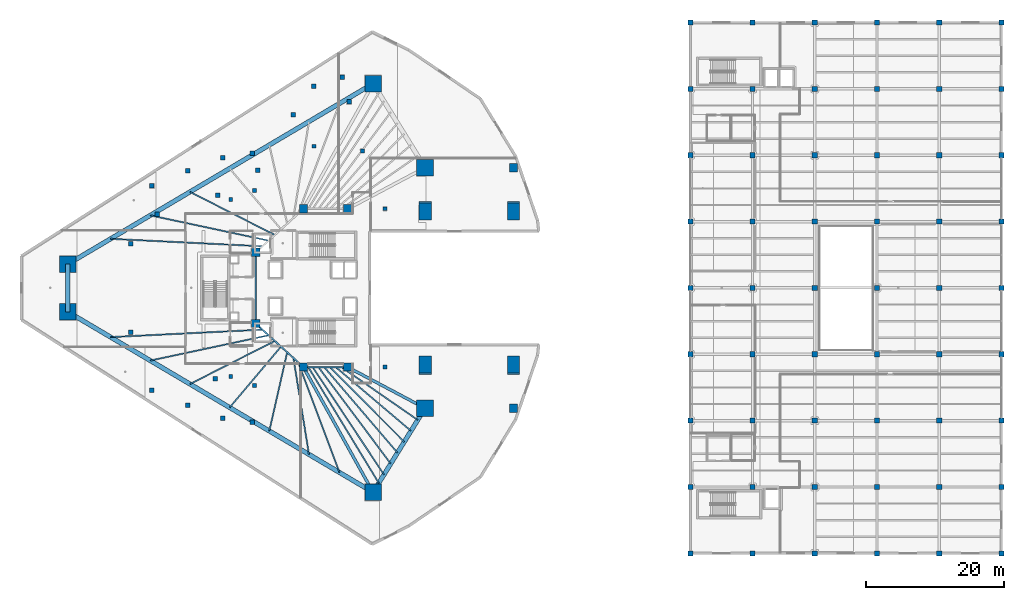
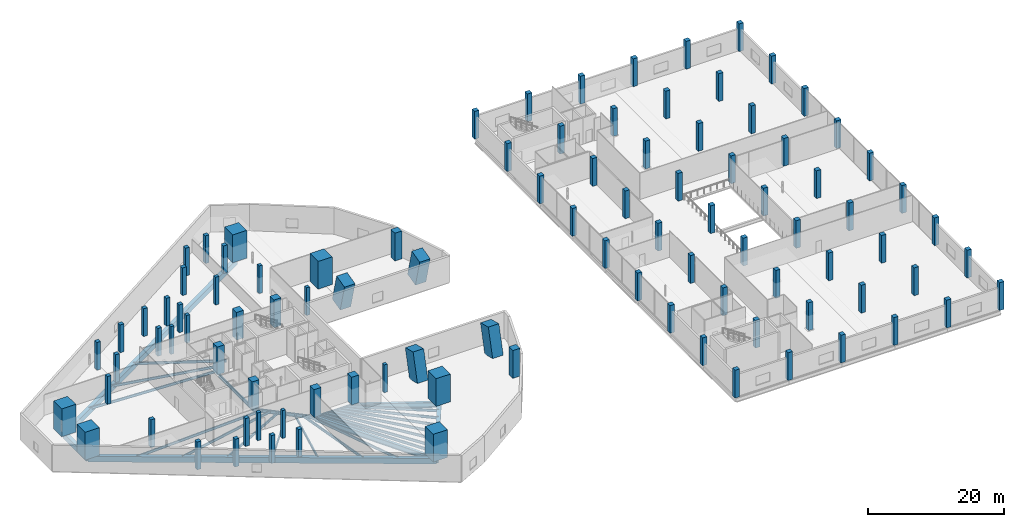
# One storey, part 1 of 47: 98 columns, 26 beams.
"""IFC4 building model written with IfcOpenShell, lengths in metres."""

from ifc_helpers import new_model, si_unit, direction, frame, origin, origin_2d, place, context, subcontext, project, spatial, rectangle, i_section, extrude, material, material_profile, profile_set, type_object, element, save


model = new_model("IFC4")

# Units and contexts
model_context = context("Model", 3, precision=1e-05, world=origin(), true_north=direction((0.0, 1.0)))
body_context = subcontext(model_context, "Body", "Model", "MODEL_VIEW")
ifc_project = project(units=[si_unit("LENGTHUNIT", "METRE"), si_unit("AREAUNIT", "SQUARE_METRE"), si_unit("VOLUMEUNIT", "CUBIC_METRE"), si_unit("PLANEANGLEUNIT", "RADIAN"), si_unit("MASSUNIT", "GRAM", prefix="KILO")], contexts=[model_context])

# Site, building, storey
site_placement = place(None, origin())
site = spatial("IfcSite", under=ifc_project, at=site_placement, CompositionType="ELEMENT")
building_placement = place(site_placement, origin())
building = spatial("IfcBuilding", under=site, at=building_placement, Name="Qorvath Tower", CompositionType="ELEMENT")
storey_placement = place(building_placement, frame((0.0, 0.0, 12.0)))
storey = spatial("IfcBuildingStorey", under=building, at=storey_placement, Name="L02", CompositionType="ELEMENT", Elevation=12.0)

# Columns
ifc_material_1 = material(Name="Concrete C70/85", Category="concrete")
ifc_material_profile_1 = material_profile(ifc_material_1, rectangle(XDim=1.800048828125, YDim=2.39990234375, at=origin_2d()), Name="ARCH 2400x1800")
ifc_profile_set_1 = profile_set([ifc_material_profile_1], Name="Concrete C70/85")
column_type_1 = type_object("IfcColumnType", Name="COL-ARCH1", PredefinedType="PILASTER", material=ifc_profile_set_1)
for number, where, z_axis, x_axis, name in (
    (1, (6.800048828125, 11.38623046875, 0.05322265625), (0.0, -0.251659178917, 0.967815921375), (1.0, 0.0, 0.0), "Giant Concrete Arch Rib Chord ARCH-FRONT-N-L02"),
    (2, (6.800048828125, -11.38623046875, 0.05322265625), (0.0, 0.251659178917, 0.967815921375), (-1.0, 0.0, 0.0), "Giant Concrete Arch Rib Chord ARCH-FRONT-S-L02"),
    (3, (-6.0, 11.38623046875, 0.05322265625), (0.0, -0.251659178917, 0.967815921375), (1.0, 0.0, 0.0), "Giant Concrete Arch Rib Chord ARCH-INNER-N-L02"),
    (4, (-6.0, -11.38623046875, 0.05322265625), (0.0, 0.251659178917, 0.967815921375), (-1.0, 0.0, 0.0), "Giant Concrete Arch Rib Chord ARCH-INNER-S-L02"),
):
    element("IfcColumn", number, at=place(storey_placement, frame(where, z_axis=z_axis, x_axis=x_axis)), inside=storey, type_object=column_type_1, Name=name, PredefinedType="PILASTER", context=body_context, shape_type="SweptSolid", body=[
        extrude(rectangle(XDim=1.800048828125, YDim=2.39990234375, at=origin_2d()), origin(), (0.0, 0.0, 1.0), 5.056396484375),
    ])
ifc_material_2 = material(Name="Concrete C70/85", Category="concrete")
ifc_material_profile_2 = material_profile(ifc_material_2, rectangle(XDim=2.39990234375, YDim=2.39990234375, at=origin_2d()), Name="MC 2400x2400")
ifc_profile_set_2 = profile_set([ifc_material_profile_2], Name="Concrete C70/85")
column_type_2 = type_object("IfcColumnType", Name="COL-MC1", PredefinedType="COLUMN", material=ifc_profile_set_2)
for number, where, z_axis, x_axis, name in (
    (5, (-57.679931640625, 3.4560546875, 0.0), (0.0, 0.0, 1.0), (1.0, 0.0, 0.0), "Composite Mega-Column MC1 L02"),
    (6, (-57.679931640625, -3.4560546875, 0.0), (0.0, 0.0, 1.0), (1.0, 0.0, 0.0), "Composite Mega-Column MC2 L02"),
    (7, (-13.52001953125, -29.568115234375, 0.0), (0.0, 0.0, 1.0), (1.0, 0.0, 0.0), "Composite Mega-Column MC3 L02"),
    (8, (-6.0, -17.39990234375, 0.0), (0.0, 0.0, 1.0), (1.0, 0.0, 0.0), "Composite Mega-Column MC4 L02"),
    (9, (-6.0, 17.39990234375, 0.0), (0.0, 0.0, 1.0), (1.0, 0.0, 0.0), "Composite Mega-Column MC5 L02"),
    (10, (-13.52001953125, 29.568115234375, 0.0), (0.0, 0.0, 1.0), (1.0, 0.0, 0.0), "Composite Mega-Column MC6 L02"),
):
    element("IfcColumn", number, at=place(storey_placement, frame(where, z_axis=z_axis, x_axis=x_axis)), inside=storey, type_object=column_type_2, Name=name, PredefinedType="COLUMN", context=body_context, shape_type="SweptSolid", body=[
        extrude(rectangle(XDim=2.39990234375, YDim=2.39990234375, at=origin_2d()), origin(), (0.0, 0.0, 1.0), 5.0),
    ])
ifc_material_3 = material(Name="Concrete C60/75", Category="concrete")
ifc_material_profile_3 = material_profile(ifc_material_3, rectangle(XDim=1.199951171875, YDim=1.199951171875, at=origin_2d()), Name="RC 1200x1200")
ifc_profile_set_3 = profile_set([ifc_material_profile_3], Name="Concrete C60/75")
column_type_3 = type_object("IfcColumnType", Name="COL-RC1", PredefinedType="COLUMN", material=ifc_profile_set_3)
for number, where, z_axis, x_axis, name in (
    (11, (6.800048828125, 17.39990234375, 0.0), (0.0, 0.0, 1.0), (1.0, 0.0, 0.0), "Arch Portal Pier FRONT-N L02"),
    (12, (6.800048828125, -17.39990234375, 0.0), (0.0, 0.0, 1.0), (1.0, 0.0, 0.0), "Arch Portal Pier FRONT-S L02"),
    (13, (-23.60009765625, 11.449951171875, 0.0), (0.0, 0.0, 1.0), (1.0, 0.0, 0.0), "Core Spine Column CC1 L02"),
    (14, (-17.199951171875, 11.449951171875, 0.0), (0.0, 0.0, 1.0), (1.0, 0.0, 0.0), "Core Spine Column CC2 L02"),
    (15, (-17.199951171875, -11.449951171875, 0.0), (0.0, 0.0, 1.0), (1.0, 0.0, 0.0), "Core Spine Column CC3 L02"),
    (16, (-23.60009765625, -11.449951171875, 0.0), (0.0, 0.0, 1.0), (1.0, 0.0, 0.0), "Core Spine Column CC4 L02"),
    (17, (-30.5, 5.14990234375, 0.0), (0.0, 0.0, 1.0), (1.0, 0.0, 0.0), "Core Spine Column CC5 L02"),
    (18, (-30.5, -5.14990234375, 0.0), (0.0, 0.0, 1.0), (1.0, 0.0, 0.0), "Core Spine Column CC6 L02"),
):
    element("IfcColumn", number, at=place(storey_placement, frame(where, z_axis=z_axis, x_axis=x_axis)), inside=storey, type_object=column_type_3, Name=name, PredefinedType="COLUMN", context=body_context, shape_type="SweptSolid", body=[
        extrude(rectangle(XDim=1.199951171875, YDim=1.199951171875, at=origin_2d()), origin(), (0.0, 0.0, 1.0), 5.0),
    ])
ifc_material_4 = material(Name="Concrete C45/55", Category="concrete")
ifc_material_profile_4 = material_profile(ifc_material_4, rectangle(XDim=0.75, YDim=0.75, at=origin_2d()), Name="RC 750x750")
ifc_profile_set_4 = profile_set([ifc_material_profile_4], Name="Concrete C45/55")
column_type_4 = type_object("IfcColumnType", Name="COL-RC5", PredefinedType="COLUMN", material=ifc_profile_set_4)
for number, where, z_axis, x_axis, name in (
    (19, (32.39990234375, -38.39990234375, 0.0), (0.0, 0.0, 1.0), (1.0, 0.0, 0.0), "Library Column 1-1 L02"),
    (20, (32.39990234375, -28.800048828125, 0.0), (0.0, 0.0, 1.0), (1.0, 0.0, 0.0), "Library Column 1-2 L02"),
    (21, (32.39990234375, -19.199951171875, 0.0), (0.0, 0.0, 1.0), (1.0, 0.0, 0.0), "Library Column 1-3 L02"),
    (22, (32.39990234375, -9.60009765625, 0.0), (0.0, 0.0, 1.0), (1.0, 0.0, 0.0), "Library Column 1-4 L02"),
    (23, (32.39990234375, 0.0, 0.0), (0.0, 0.0, 1.0), (1.0, 0.0, 0.0), "Library Column 1-5 L02"),
    (24, (32.39990234375, 9.60009765625, 0.0), (0.0, 0.0, 1.0), (1.0, 0.0, 0.0), "Library Column 1-6 L02"),
    (25, (32.39990234375, 19.199951171875, 0.0), (0.0, 0.0, 1.0), (1.0, 0.0, 0.0), "Library Column 1-7 L02"),
    (26, (32.39990234375, 28.800048828125, 0.0), (0.0, 0.0, 1.0), (1.0, 0.0, 0.0), "Library Column 1-8 L02"),
    (27, (32.39990234375, 38.39990234375, 0.0), (0.0, 0.0, 1.0), (1.0, 0.0, 0.0), "Library Column 1-9 L02"),
    (28, (41.39990234375, -38.39990234375, 0.0), (0.0, 0.0, 1.0), (1.0, 0.0, 0.0), "Library Column 2-1 L02"),
    (29, (41.39990234375, -28.800048828125, 0.0), (0.0, 0.0, 1.0), (1.0, 0.0, 0.0), "Library Column 2-2 L02"),
    (30, (41.39990234375, -19.199951171875, 0.0), (0.0, 0.0, 1.0), (1.0, 0.0, 0.0), "Library Column 2-3 L02"),
    (31, (41.39990234375, -9.60009765625, 0.0), (0.0, 0.0, 1.0), (1.0, 0.0, 0.0), "Library Column 2-4 L02"),
    (32, (41.39990234375, 0.0, 0.0), (0.0, 0.0, 1.0), (1.0, 0.0, 0.0), "Library Column 2-5 L02"),
    (33, (41.39990234375, 9.60009765625, 0.0), (0.0, 0.0, 1.0), (1.0, 0.0, 0.0), "Library Column 2-6 L02"),
    (34, (41.39990234375, 19.199951171875, 0.0), (0.0, 0.0, 1.0), (1.0, 0.0, 0.0), "Library Column 2-7 L02"),
    (35, (41.39990234375, 28.800048828125, 0.0), (0.0, 0.0, 1.0), (1.0, 0.0, 0.0), "Library Column 2-8 L02"),
    (36, (41.39990234375, 38.39990234375, 0.0), (0.0, 0.0, 1.0), (1.0, 0.0, 0.0), "Library Column 2-9 L02"),
    (37, (50.39990234375, -38.39990234375, 0.0), (0.0, 0.0, 1.0), (1.0, 0.0, 0.0), "Library Column 3-1 L02"),
    (38, (50.39990234375, -28.800048828125, 0.0), (0.0, 0.0, 1.0), (1.0, 0.0, 0.0), "Library Column 3-2 L02"),
    (39, (50.39990234375, -19.199951171875, 0.0), (0.0, 0.0, 1.0), (1.0, 0.0, 0.0), "Library Column 3-3 L02"),
    (40, (50.39990234375, -9.60009765625, 0.0), (0.0, 0.0, 1.0), (1.0, 0.0, 0.0), "Library Column 3-4 L02"),
    (41, (50.39990234375, 0.0, 0.0), (0.0, 0.0, 1.0), (1.0, 0.0, 0.0), "Library Column 3-5 L02"),
    (42, (50.39990234375, 9.60009765625, 0.0), (0.0, 0.0, 1.0), (1.0, 0.0, 0.0), "Library Column 3-6 L02"),
    (43, (50.39990234375, 19.199951171875, 0.0), (0.0, 0.0, 1.0), (1.0, 0.0, 0.0), "Library Column 3-7 L02"),
    (44, (50.39990234375, 28.800048828125, 0.0), (0.0, 0.0, 1.0), (1.0, 0.0, 0.0), "Library Column 3-8 L02"),
    (45, (50.39990234375, 38.39990234375, 0.0), (0.0, 0.0, 1.0), (1.0, 0.0, 0.0), "Library Column 3-9 L02"),
    (46, (59.39990234375, -38.39990234375, 0.0), (0.0, 0.0, 1.0), (1.0, 0.0, 0.0), "Library Column 4-1 L02"),
    (47, (59.39990234375, -28.800048828125, 0.0), (0.0, 0.0, 1.0), (1.0, 0.0, 0.0), "Library Column 4-2 L02"),
    (48, (59.39990234375, -19.199951171875, 0.0), (0.0, 0.0, 1.0), (1.0, 0.0, 0.0), "Library Column 4-3 L02"),
    (49, (59.39990234375, -9.60009765625, 0.0), (0.0, 0.0, 1.0), (1.0, 0.0, 0.0), "Library Column 4-4 L02"),
    (50, (59.39990234375, 0.0, 0.0), (0.0, 0.0, 1.0), (1.0, 0.0, 0.0), "Library Column 4-5 L02"),
    (51, (59.39990234375, 9.60009765625, 0.0), (0.0, 0.0, 1.0), (1.0, 0.0, 0.0), "Library Column 4-6 L02"),
    (52, (59.39990234375, 19.199951171875, 0.0), (0.0, 0.0, 1.0), (1.0, 0.0, 0.0), "Library Column 4-7 L02"),
    (53, (59.39990234375, 28.800048828125, 0.0), (0.0, 0.0, 1.0), (1.0, 0.0, 0.0), "Library Column 4-8 L02"),
    (54, (59.39990234375, 38.39990234375, 0.0), (0.0, 0.0, 1.0), (1.0, 0.0, 0.0), "Library Column 4-9 L02"),
    (55, (68.39990234375, -38.39990234375, 0.0), (0.0, 0.0, 1.0), (1.0, 0.0, 0.0), "Library Column 5-1 L02"),
    (56, (68.39990234375, -28.800048828125, 0.0), (0.0, 0.0, 1.0), (1.0, 0.0, 0.0), "Library Column 5-2 L02"),
    (57, (68.39990234375, -19.199951171875, 0.0), (0.0, 0.0, 1.0), (1.0, 0.0, 0.0), "Library Column 5-3 L02"),
    (58, (68.39990234375, -9.60009765625, 0.0), (0.0, 0.0, 1.0), (1.0, 0.0, 0.0), "Library Column 5-4 L02"),
    (59, (68.39990234375, 0.0, 0.0), (0.0, 0.0, 1.0), (1.0, 0.0, 0.0), "Library Column 5-5 L02"),
    (60, (68.39990234375, 9.60009765625, 0.0), (0.0, 0.0, 1.0), (1.0, 0.0, 0.0), "Library Column 5-6 L02"),
    (61, (68.39990234375, 19.199951171875, 0.0), (0.0, 0.0, 1.0), (1.0, 0.0, 0.0), "Library Column 5-7 L02"),
    (62, (68.39990234375, 28.800048828125, 0.0), (0.0, 0.0, 1.0), (1.0, 0.0, 0.0), "Library Column 5-8 L02"),
    (63, (68.39990234375, 38.39990234375, 0.0), (0.0, 0.0, 1.0), (1.0, 0.0, 0.0), "Library Column 5-9 L02"),
    (64, (77.39990234375, -38.39990234375, 0.0), (0.0, 0.0, 1.0), (1.0, 0.0, 0.0), "Library Column 6-1 L02"),
    (65, (77.39990234375, -28.800048828125, 0.0), (0.0, 0.0, 1.0), (1.0, 0.0, 0.0), "Library Column 6-2 L02"),
    (66, (77.39990234375, -19.199951171875, 0.0), (0.0, 0.0, 1.0), (1.0, 0.0, 0.0), "Library Column 6-3 L02"),
    (67, (77.39990234375, -9.60009765625, 0.0), (0.0, 0.0, 1.0), (1.0, 0.0, 0.0), "Library Column 6-4 L02"),
    (68, (77.39990234375, 0.0, 0.0), (0.0, 0.0, 1.0), (1.0, 0.0, 0.0), "Library Column 6-5 L02"),
    (69, (77.39990234375, 9.60009765625, 0.0), (0.0, 0.0, 1.0), (1.0, 0.0, 0.0), "Library Column 6-6 L02"),
    (70, (77.39990234375, 19.199951171875, 0.0), (0.0, 0.0, 1.0), (1.0, 0.0, 0.0), "Library Column 6-7 L02"),
    (71, (77.39990234375, 28.800048828125, 0.0), (0.0, 0.0, 1.0), (1.0, 0.0, 0.0), "Library Column 6-8 L02"),
    (72, (77.39990234375, 38.39990234375, 0.0), (0.0, 0.0, 1.0), (1.0, 0.0, 0.0), "Library Column 6-9 L02"),
):
    element("IfcColumn", number, at=place(storey_placement, frame(where, z_axis=z_axis, x_axis=x_axis)), inside=storey, type_object=column_type_4, Name=name, PredefinedType="COLUMN", context=body_context, shape_type="SweptSolid", body=[
        extrude(rectangle(XDim=0.75, YDim=0.75, at=origin_2d()), origin(), (0.0, 0.0, 1.0), 5.0),
    ])
ifc_material_5 = material(Name="Concrete C45/55", Category="concrete")
ifc_material_profile_5 = material_profile(ifc_material_5, rectangle(XDim=0.64990234375, YDim=0.64990234375, at=origin_2d()), Name="RC 650x650")
ifc_profile_set_5 = profile_set([ifc_material_profile_5], Name="Concrete C45/55")
column_type_5 = type_object("IfcColumnType", Name="COL-RC6", PredefinedType="COLUMN", material=ifc_profile_set_5)
for number, where, z_axis, x_axis, name in (
    (73, (-45.536376953125, 14.774658203125, 0.0), (0.0, 0.0, 1.0), (1.0, 0.0, 0.0), "Loggia Frame Pier Column LGA1 L02"),
    (74, (-45.536376953125, -14.774658203125, 0.0), (0.0, 0.0, 1.0), (1.0, 0.0, 0.0), "Loggia Frame Pier Column LGA2 L02"),
    (75, (-22.13134765625, 29.20556640625, 0.0), (0.0, 0.0, 1.0), (1.0, 0.0, 0.0), "Loggia Frame Pier Column LGA3 L02"),
    (76, (-40.33251953125, 16.955810546875, 0.0), (0.0, 0.0, 1.0), (1.0, 0.0, 0.0), "Loggia Frame Pier Column LGB1 L02"),
    (77, (-40.33251953125, -16.955810546875, 0.0), (0.0, 0.0, 1.0), (1.0, 0.0, 0.0), "Loggia Frame Pier Column LGB2 L02"),
    (78, (-18.0, 30.5, 0.0), (0.0, 0.0, 1.0), (1.0, 0.0, 0.0), "Loggia Frame Pier Column LGB3 L02"),
    (79, (-35.251708984375, 18.829345703125, 0.0), (0.0, 0.0, 1.0), (1.0, 0.0, 0.0), "Loggia Frame Pier Column LGC1 L02"),
    (80, (-35.251708984375, -18.829345703125, 0.0), (0.0, 0.0, 1.0), (1.0, 0.0, 0.0), "Loggia Frame Pier Column LGC2 L02"),
    (81, (-25.03759765625, 25.058837890625, 0.0), (0.0, 0.0, 1.0), (1.0, 0.0, 0.0), "Loggia Frame Pier Column LGC3 L02"),
    (82, (-31.01611328125, 19.46044921875, 0.0), (0.0, 0.0, 1.0), (1.0, 0.0, 0.0), "Loggia Frame Pier Column LGD1 L02"),
    (83, (-31.01611328125, -19.46044921875, 0.0), (0.0, 0.0, 1.0), (1.0, 0.0, 0.0), "Loggia Frame Pier Column LGD2 L02"),
    (84, (-44.736328125, 10.65234375, 0.0), (0.0, 0.0, 1.0), (1.0, 0.0, 0.0), "Loggia Frame Pier Column LGD3 L02"),
    (85, (-48.578369140625, 6.424560546875, 0.0), (0.0, 0.0, 1.0), (1.0, 0.0, 0.0), "Loggia Frame Pier Column LGE1 L02"),
    (86, (-48.578369140625, -6.424560546875, 0.0), (0.0, 0.0, 1.0), (1.0, 0.0, 0.0), "Loggia Frame Pier Column LGE2 L02"),
    (87, (-16.981201171875, 26.92919921875, 0.0), (0.0, 0.0, 1.0), (1.0, 0.0, 0.0), "Loggia Frame Pier Column LGE3 L02"),
    (88, (-35.980712890625, 13.380859375, 0.0), (0.0, 0.0, 1.0), (1.0, 0.0, 0.0), "Loggia Frame Pier Column LGF1 L02"),
    (89, (-36.36474609375, -13.135498046875, 0.0), (0.0, 0.0, 1.0), (1.0, 0.0, 0.0), "Loggia Frame Pier Column LGF2 L02"),
    (90, (-30.224853515625, 17.0595703125, 0.0), (0.0, 0.0, 1.0), (1.0, 0.0, 0.0), "Loggia Frame Pier Column LGF3 L02"),
):
    element("IfcColumn", number, at=place(storey_placement, frame(where, z_axis=z_axis, x_axis=x_axis)), inside=storey, type_object=column_type_5, Name=name, PredefinedType="COLUMN", context=body_context, shape_type="SweptSolid", body=[
        extrude(rectangle(XDim=0.64990234375, YDim=0.64990234375, at=origin_2d()), origin(), (0.0, 0.0, 1.0), 5.0),
    ])
ifc_material_6 = material(Name="Concrete C45/55", Category="concrete")
ifc_material_profile_6 = material_profile(ifc_material_6, rectangle(XDim=0.550048828125, YDim=0.550048828125, at=origin_2d()), Name="RC 550x550")
ifc_profile_set_6 = profile_set([ifc_material_profile_6], Name="Concrete C45/55")
column_type_6 = type_object("IfcColumnType", Name="COL-RC7", PredefinedType="COLUMN", material=ifc_profile_set_6)
for number, where, z_axis, x_axis, name in (
    (91, (-34.104248046875, 12.79248046875, 0.0), (0.0, 0.0, 1.0), (1.0, 0.0, 0.0), "Loggia Frame Pier Column LGG1 L02"),
    (92, (-34.104248046875, -12.79248046875, 0.0), (0.0, 0.0, 1.0), (1.0, 0.0, 0.0), "Loggia Frame Pier Column LGG2 L02"),
    (93, (-22.05322265625, 20.494873046875, 0.0), (0.0, 0.0, 1.0), (1.0, 0.0, 0.0), "Loggia Frame Pier Column LGG3 L02"),
    (94, (-30.67724609375, 14.124267578125, 0.0), (0.0, 0.0, 1.0), (1.0, 0.0, 0.0), "Loggia Frame Pier Column LGH1 L02"),
    (95, (-30.67724609375, -14.124267578125, 0.0), (0.0, 0.0, 1.0), (1.0, 0.0, 0.0), "Loggia Frame Pier Column LGH2 L02"),
    (96, (-15.046142578125, 19.818115234375, 0.0), (0.0, 0.0, 1.0), (1.0, 0.0, 0.0), "Loggia Frame Pier Column LGH3 L02"),
    (97, (-11.800048828125, -11.449951171875, 0.0), (0.0, 0.0, 1.0), (1.0, 0.0, 0.0), "Central Slot Jamb Column SC1 L02"),
    (98, (-11.800048828125, 11.449951171875, 0.0), (0.0, 0.0, 1.0), (1.0, 0.0, 0.0), "Central Slot Jamb Column SC2 L02"),
):
    element("IfcColumn", number, at=place(storey_placement, frame(where, z_axis=z_axis, x_axis=x_axis)), inside=storey, type_object=column_type_6, Name=name, PredefinedType="COLUMN", context=body_context, shape_type="SweptSolid", body=[
        extrude(rectangle(XDim=0.550048828125, YDim=0.550048828125, at=origin_2d()), origin(), (0.0, 0.0, 1.0), 5.0),
    ])

# Beams
ifc_material_7 = material(Name="Steel ASTM A992 Grade 50", Category="steel")
ifc_material_profile_7 = material_profile(ifc_material_7, i_section(OverallWidth=0.422119140625, OverallDepth=0.93310546875, WebThickness=0.021240234375, FlangeThickness=0.039794921875, FilletRadius=0.02392578125, at=origin_2d()), Name="W36x262")
ifc_profile_set_7 = profile_set([ifc_material_profile_7], Name="Steel ASTM A992 Grade 50")
beam_type_1 = type_object("IfcBeamType", Name="BM-FG1", PredefinedType="BEAM", material=ifc_profile_set_7)
beam_1_placement = place(storey_placement, frame((-17.199951171875, -11.449951171875, -0.7265625), z_axis=(0.883116467191, -0.469153818461, 0.0), x_axis=(0.469153818461, 0.883116467191, 0.0)))
element("IfcBeam", 99, at=beam_1_placement, inside=storey, type_object=beam_type_1, Name="Radial Floor Girder CC3-MC4 L02", PredefinedType="BEAM", context=body_context, shape_type="SweptSolid", body=[
    extrude(i_section(OverallWidth=0.422119140625, OverallDepth=0.93310546875, WebThickness=0.021240234375, FlangeThickness=0.039794921875, FilletRadius=0.02392578125, at=origin_2d()), origin(), (0.0, 0.0, 1.0), 12.682373046875),
])
beam_2_placement = place(storey_placement, frame((-23.60009765625, -11.449951171875, -0.7265625), z_axis=(0.486174725137, -0.873861623278, 0.0), x_axis=(0.873861623278, 0.486174725137, 0.0)))
element("IfcBeam", 100, at=beam_2_placement, inside=storey, type_object=beam_type_1, Name="Radial Floor Girder CC4-MC3 L02", PredefinedType="BEAM", context=body_context, shape_type="SweptSolid", body=[
    extrude(i_section(OverallWidth=0.422119140625, OverallDepth=0.93310546875, WebThickness=0.021240234375, FlangeThickness=0.039794921875, FilletRadius=0.02392578125, at=origin_2d()), origin(), (0.0, 0.0, 1.0), 20.7333984375),
])
ifc_material_8 = material(Name="Steel ASTM A992 Grade 50", Category="steel")
ifc_material_profile_8 = material_profile(ifc_material_8, i_section(OverallWidth=0.22998046875, OverallDepth=0.616943359375, WebThickness=0.01318359375, FlangeThickness=0.022216796875, FilletRadius=0.014892578125, at=origin_2d()), Name="W24x94")
ifc_profile_set_8 = profile_set([ifc_material_profile_8], Name="Steel ASTM A992 Grade 50")
beam_type_2 = type_object("IfcBeamType", Name="BM-FG6", PredefinedType="BEAM", material=ifc_profile_set_8)
beam_3_placement = place(storey_placement, frame((-17.199951171875, -11.449951171875, -0.568603515625), z_axis=(-1.0, 0.0, 0.0), x_axis=(0.0, -1.0, 0.0)))
element("IfcBeam", 101, at=beam_3_placement, inside=storey, type_object=beam_type_2, Name="Core Ring Girder CC3-CC4 L02", PredefinedType="BEAM", context=body_context, shape_type="SweptSolid", body=[
    extrude(i_section(OverallWidth=0.22998046875, OverallDepth=0.616943359375, WebThickness=0.01318359375, FlangeThickness=0.022216796875, FilletRadius=0.014892578125, at=origin_2d()), origin(), (0.0, 0.0, 1.0), 6.400146484375),
])
beam_4_placement = place(storey_placement, frame((-23.60009765625, -11.449951171875, -0.568603515625), z_axis=(-0.73847813985, 0.6742774184, 0.0), x_axis=(-0.6742774184, -0.73847813985, 0.0)))
element("IfcBeam", 102, at=beam_4_placement, inside=storey, type_object=beam_type_2, Name="Core Ring Girder CC4-CC6 L02", PredefinedType="BEAM", context=body_context, shape_type="SweptSolid", body=[
    extrude(i_section(OverallWidth=0.22998046875, OverallDepth=0.616943359375, WebThickness=0.01318359375, FlangeThickness=0.022216796875, FilletRadius=0.014892578125, at=origin_2d()), origin(), (0.0, 0.0, 1.0), 9.343505859375),
])
beam_5_placement = place(storey_placement, frame((-30.5, -5.14990234375, -0.568603515625), z_axis=(0.0, 1.0, 0.0), x_axis=(-1.0, 0.0, 0.0)))
element("IfcBeam", 103, at=beam_5_placement, inside=storey, type_object=beam_type_2, Name="Core Ring Girder CC6-CC5 L02", PredefinedType="BEAM", context=body_context, shape_type="SweptSolid", body=[
    extrude(i_section(OverallWidth=0.22998046875, OverallDepth=0.616943359375, WebThickness=0.01318359375, FlangeThickness=0.022216796875, FilletRadius=0.014892578125, at=origin_2d()), origin(), (0.0, 0.0, 1.0), 10.2998046875),
])
ifc_material_9 = material(Name="Steel ASTM A992 Grade 50", Category="steel")
ifc_material_profile_9 = material_profile(ifc_material_9, i_section(OverallWidth=0.18994140625, OverallDepth=0.45703125, WebThickness=0.009033203125, FlangeThickness=0.014404296875, FilletRadius=0.011962890625, at=origin_2d()), Name="W18x50")
ifc_profile_set_9 = profile_set([ifc_material_profile_9], Name="Steel ASTM A992 Grade 50")
beam_type_3 = type_object("IfcBeamType", Name="BM-FJ2", PredefinedType="JOIST", material=ifc_profile_set_9)
beam_6_placement = place(storey_placement, frame((-18.095947265625, -11.449951171875, -0.488525390625), z_axis=(0.821904266501, -0.569625646111, 0.0), x_axis=(0.569625646111, 0.821904266501, 0.0)))
element("IfcBeam", 104, at=beam_6_placement, inside=storey, type_object=beam_type_3, Name="Composite Floor Joist SE1 L02", PredefinedType="JOIST", context=body_context, shape_type="SweptSolid", body=[
    extrude(i_section(OverallWidth=0.18994140625, OverallDepth=0.45703125, WebThickness=0.009033203125, FlangeThickness=0.014404296875, FilletRadius=0.011962890625, at=origin_2d()), origin(), (0.0, 0.0, 1.0), 13.43603515625),
])
beam_7_placement = place(storey_placement, frame((-18.927978515625, -11.449951171875, -0.488525390625), z_axis=(0.762888170757, -0.646530462483, 0.0), x_axis=(0.646530462483, 0.762888170757, 0.0)))
element("IfcBeam", 105, at=beam_7_placement, inside=storey, type_object=beam_type_3, Name="Composite Floor Joist SE2 L02", PredefinedType="JOIST", context=body_context, shape_type="SweptSolid", body=[
    extrude(i_section(OverallWidth=0.18994140625, OverallDepth=0.45703125, WebThickness=0.009033203125, FlangeThickness=0.014404296875, FilletRadius=0.011962890625, at=origin_2d()), origin(), (0.0, 0.0, 1.0), 14.284423828125),
])
beam_8_placement = place(storey_placement, frame((-19.760009765625, -11.449951171875, -0.488525390625), z_axis=(0.704966562097, -0.709240541935, 0.0), x_axis=(0.709240541935, 0.704966562097, 0.0)))
element("IfcBeam", 106, at=beam_8_placement, inside=storey, type_object=beam_type_3, Name="Composite Floor Joist SE3 L02", PredefinedType="JOIST", context=body_context, shape_type="SweptSolid", body=[
    extrude(i_section(OverallWidth=0.18994140625, OverallDepth=0.45703125, WebThickness=0.009033203125, FlangeThickness=0.014404296875, FilletRadius=0.011962890625, at=origin_2d()), origin(), (0.0, 0.0, 1.0), 15.251708984375),
])
beam_9_placement = place(storey_placement, frame((-20.592041015625, -11.449951171875, -0.488525390625), z_axis=(0.650034471724, -0.759904721376, 0.0), x_axis=(0.759904721376, 0.650034471724, 0.0)))
element("IfcBeam", 107, at=beam_9_placement, inside=storey, type_object=beam_type_3, Name="Composite Floor Joist SE4 L02", PredefinedType="JOIST", context=body_context, shape_type="SweptSolid", body=[
    extrude(i_section(OverallWidth=0.18994140625, OverallDepth=0.45703125, WebThickness=0.009033203125, FlangeThickness=0.014404296875, FilletRadius=0.011962890625, at=origin_2d()), origin(), (0.0, 0.0, 1.0), 16.316650390625),
])
beam_10_placement = place(storey_placement, frame((-21.424072265625, -11.449951171875, -0.488525390625), z_axis=(0.599091356813, -0.800680676794, 0.0), x_axis=(0.800680676794, 0.599091356813, 0.0)))
element("IfcBeam", 108, at=beam_10_placement, inside=storey, type_object=beam_type_3, Name="Composite Floor Joist SE5 L02", PredefinedType="JOIST", context=body_context, shape_type="SweptSolid", body=[
    extrude(i_section(OverallWidth=0.18994140625, OverallDepth=0.45703125, WebThickness=0.009033203125, FlangeThickness=0.014404296875, FilletRadius=0.011962890625, at=origin_2d()), origin(), (0.0, 0.0, 1.0), 17.46142578125),
])
beam_11_placement = place(storey_placement, frame((-22.256103515625, -11.449951171875, -0.488525390625), z_axis=(0.552474288131, -0.833529940047, 0.0), x_axis=(0.833529940047, 0.552474288131, 0.0)))
element("IfcBeam", 109, at=beam_11_placement, inside=storey, type_object=beam_type_3, Name="Composite Floor Joist SE6 L02", PredefinedType="JOIST", context=body_context, shape_type="SweptSolid", body=[
    extrude(i_section(OverallWidth=0.18994140625, OverallDepth=0.45703125, WebThickness=0.009033203125, FlangeThickness=0.014404296875, FilletRadius=0.011962890625, at=origin_2d()), origin(), (0.0, 0.0, 1.0), 18.6708984375),
])
beam_12_placement = place(storey_placement, frame((-22.89599609375, -11.449951171875, -0.488525390625), z_axis=(0.519556443318, -0.854436131145, 0.0), x_axis=(0.854436131145, 0.519556443318, 0.0)))
element("IfcBeam", 110, at=beam_12_placement, inside=storey, type_object=beam_type_3, Name="Composite Floor Joist SE7 L02", PredefinedType="JOIST", context=body_context, shape_type="SweptSolid", body=[
    extrude(i_section(OverallWidth=0.18994140625, OverallDepth=0.45703125, WebThickness=0.009033203125, FlangeThickness=0.014404296875, FilletRadius=0.011962890625, at=origin_2d()), origin(), (0.0, 0.0, 1.0), 19.63818359375),
])
beam_13_placement = place(storey_placement, frame((-29.533935546875, 6.031982421875, -0.488525390625), z_axis=(-0.998794149334, 0.04909426907, 0.0), x_axis=(-0.04909426907, -0.998794149334, 0.0)))
element("IfcBeam", 111, at=beam_13_placement, inside=storey, type_object=beam_type_3, Name="Composite Floor Joist NW1 L02", PredefinedType="JOIST", context=body_context, shape_type="SweptSolid", body=[
    extrude(i_section(OverallWidth=0.18994140625, OverallDepth=0.45703125, WebThickness=0.009033203125, FlangeThickness=0.014404296875, FilletRadius=0.011962890625, at=origin_2d()), origin(), (0.0, 0.0, 1.0), 21.990234375),
])
beam_14_placement = place(storey_placement, frame((-28.636962890625, 6.85107421875, -0.488525390625), z_axis=(-0.977957459776, 0.208804230962, 0.0), x_axis=(-0.208804230962, -0.977957459776, 0.0)))
element("IfcBeam", 112, at=beam_14_placement, inside=storey, type_object=beam_type_3, Name="Composite Floor Joist NW2 L02", PredefinedType="JOIST", context=body_context, shape_type="SweptSolid", body=[
    extrude(i_section(OverallWidth=0.18994140625, OverallDepth=0.45703125, WebThickness=0.009033203125, FlangeThickness=0.014404296875, FilletRadius=0.011962890625, at=origin_2d()), origin(), (0.0, 0.0, 1.0), 17.505859375),
])
beam_15_placement = place(storey_placement, frame((-27.739990234375, 7.669921875, -0.488525390625), z_axis=(-0.891711806986, 0.452603638166, 0.0), x_axis=(-0.452603638166, -0.891711806986, 0.0)))
element("IfcBeam", 113, at=beam_15_placement, inside=storey, type_object=beam_type_3, Name="Composite Floor Joist NW3 L02", PredefinedType="JOIST", context=body_context, shape_type="SweptSolid", body=[
    extrude(i_section(OverallWidth=0.18994140625, OverallDepth=0.45703125, WebThickness=0.009033203125, FlangeThickness=0.014404296875, FilletRadius=0.011962890625, at=origin_2d()), origin(), (0.0, 0.0, 1.0), 13.766845703125),
])
beam_16_placement = place(storey_placement, frame((-29.533935546875, -6.031982421875, -0.488525390625), z_axis=(-0.998794149334, -0.04909426907, 0.0), x_axis=(0.04909426907, -0.998794149334, 0.0)))
element("IfcBeam", 114, at=beam_16_placement, inside=storey, type_object=beam_type_3, Name="Composite Floor Joist SW1 L02", PredefinedType="JOIST", context=body_context, shape_type="SweptSolid", body=[
    extrude(i_section(OverallWidth=0.18994140625, OverallDepth=0.45703125, WebThickness=0.009033203125, FlangeThickness=0.014404296875, FilletRadius=0.011962890625, at=origin_2d()), origin(), (0.0, 0.0, 1.0), 21.990234375),
])
beam_17_placement = place(storey_placement, frame((-28.636962890625, -6.85107421875, -0.488525390625), z_axis=(-0.977957459776, -0.208804230962, 0.0), x_axis=(0.208804230962, -0.977957459776, 0.0)))
element("IfcBeam", 115, at=beam_17_placement, inside=storey, type_object=beam_type_3, Name="Composite Floor Joist SW2 L02", PredefinedType="JOIST", context=body_context, shape_type="SweptSolid", body=[
    extrude(i_section(OverallWidth=0.18994140625, OverallDepth=0.45703125, WebThickness=0.009033203125, FlangeThickness=0.014404296875, FilletRadius=0.011962890625, at=origin_2d()), origin(), (0.0, 0.0, 1.0), 17.505859375),
])
beam_18_placement = place(storey_placement, frame((-27.739990234375, -7.669921875, -0.488525390625), z_axis=(-0.891711806986, -0.452603638166, 0.0), x_axis=(0.452603638166, -0.891711806986, 0.0)))
element("IfcBeam", 116, at=beam_18_placement, inside=storey, type_object=beam_type_3, Name="Composite Floor Joist SW3 L02", PredefinedType="JOIST", context=body_context, shape_type="SweptSolid", body=[
    extrude(i_section(OverallWidth=0.18994140625, OverallDepth=0.45703125, WebThickness=0.009033203125, FlangeThickness=0.014404296875, FilletRadius=0.011962890625, at=origin_2d()), origin(), (0.0, 0.0, 1.0), 13.766845703125),
])
beam_19_placement = place(storey_placement, frame((-26.843017578125, -8.489013671875, -0.488525390625), z_axis=(-0.644958726494, -0.764217404355, 0.0), x_axis=(0.764217404355, -0.644958726494, 0.0)))
element("IfcBeam", 117, at=beam_19_placement, inside=storey, type_object=beam_type_3, Name="Composite Floor Joist SW4 L02", PredefinedType="JOIST", context=body_context, shape_type="SweptSolid", body=[
    extrude(i_section(OverallWidth=0.18994140625, OverallDepth=0.45703125, WebThickness=0.009033203125, FlangeThickness=0.014404296875, FilletRadius=0.011962890625, at=origin_2d()), origin(), (0.0, 0.0, 1.0), 11.5234375),
])
beam_20_placement = place(storey_placement, frame((-25.946044921875, -9.30810546875, -0.488525390625), z_axis=(-0.221751282053, -0.975103260639, 0.0), x_axis=(0.975103260639, -0.221751282053, 0.0)))
element("IfcBeam", 118, at=beam_20_placement, inside=storey, type_object=beam_type_3, Name="Composite Floor Joist SW5 L02", PredefinedType="JOIST", context=body_context, shape_type="SweptSolid", body=[
    extrude(i_section(OverallWidth=0.18994140625, OverallDepth=0.45703125, WebThickness=0.009033203125, FlangeThickness=0.014404296875, FilletRadius=0.011962890625, at=origin_2d()), origin(), (0.0, 0.0, 1.0), 11.67236328125),
])
beam_21_placement = place(storey_placement, frame((-25.049072265625, -10.126953125, -0.488525390625), z_axis=(0.159519083064, -0.987194845073, 0.0), x_axis=(0.987194845073, 0.159519083064, 0.0)))
element("IfcBeam", 119, at=beam_21_placement, inside=storey, type_object=beam_type_3, Name="Composite Floor Joist SW6 L02", PredefinedType="JOIST", context=body_context, shape_type="SweptSolid", body=[
    extrude(i_section(OverallWidth=0.18994140625, OverallDepth=0.45703125, WebThickness=0.009033203125, FlangeThickness=0.014404296875, FilletRadius=0.011962890625, at=origin_2d()), origin(), (0.0, 0.0, 1.0), 14.138671875),
])
beam_22_placement = place(storey_placement, frame((-24.35888671875, -10.757080078125, -0.488525390625), z_axis=(0.351338742889, -0.936248411344, 0.0), x_axis=(0.936248411344, 0.351338742889, 0.0)))
element("IfcBeam", 120, at=beam_22_placement, inside=storey, type_object=beam_type_3, Name="Composite Floor Joist SW7 L02", PredefinedType="JOIST", context=body_context, shape_type="SweptSolid", body=[
    extrude(i_section(OverallWidth=0.18994140625, OverallDepth=0.45703125, WebThickness=0.009033203125, FlangeThickness=0.014404296875, FilletRadius=0.011962890625, at=origin_2d()), origin(), (0.0, 0.0, 1.0), 17.02392578125),
])
ifc_material_10 = material(Name="Concrete C50/60", Category="concrete")
ifc_material_profile_10 = material_profile(ifc_material_10, rectangle(XDim=0.64990234375, YDim=1.0, at=origin_2d()), Name="RCB 1000x650")
ifc_profile_set_10 = profile_set([ifc_material_profile_10], Name="Concrete C50/60")
beam_type_4 = type_object("IfcBeamType", Name="BM-RCB1", PredefinedType="SPANDREL", material=ifc_profile_set_10)
beam_23_placement = place(storey_placement, frame((-57.679931640625, 3.4560546875, -0.760009765625), z_axis=(0.0, -1.0, 0.0), x_axis=(1.0, 0.0, 0.0)))
element("IfcBeam", 121, at=beam_23_placement, inside=storey, type_object=beam_type_4, Name="Perimeter Loggia Frame Beam MC1-MC2 L02", PredefinedType="SPANDREL", context=body_context, shape_type="SweptSolid", body=[
    extrude(rectangle(XDim=0.64990234375, YDim=1.0, at=origin_2d()), origin(), (0.0, 0.0, 1.0), 6.912109375),
])
beam_24_placement = place(storey_placement, frame((-57.679931640625, -3.4560546875, -0.760009765625), z_axis=(0.860776517711, -0.50898309064, 0.0), x_axis=(0.50898309064, 0.860776517711, 0.0)))
element("IfcBeam", 122, at=beam_24_placement, inside=storey, type_object=beam_type_4, Name="Perimeter Loggia Frame Beam MC2-MC3 L02", PredefinedType="SPANDREL", context=body_context, shape_type="SweptSolid", body=[
    extrude(rectangle(XDim=0.64990234375, YDim=1.0, at=origin_2d()), origin(), (0.0, 0.0, 1.0), 51.302490234375),
])
beam_25_placement = place(storey_placement, frame((-13.52001953125, -29.568115234375, -0.760009765625), z_axis=(0.525713426157, 0.850661738624, 0.0), x_axis=(-0.850661738624, 0.525713426157, 0.0)))
element("IfcBeam", 123, at=beam_25_placement, inside=storey, type_object=beam_type_4, Name="Perimeter Loggia Frame Beam MC3-MC4 L02", PredefinedType="SPANDREL", context=body_context, shape_type="SweptSolid", body=[
    extrude(rectangle(XDim=0.64990234375, YDim=1.0, at=origin_2d()), origin(), (0.0, 0.0, 1.0), 14.304443359375),
])
beam_26_placement = place(storey_placement, frame((-13.52001953125, 29.568115234375, -0.760009765625), z_axis=(-0.860776517711, -0.50898309064, 0.0), x_axis=(0.50898309064, -0.860776517711, 0.0)))
element("IfcBeam", 124, at=beam_26_placement, inside=storey, type_object=beam_type_4, Name="Perimeter Loggia Frame Beam MC6-MC1 L02", PredefinedType="SPANDREL", context=body_context, shape_type="SweptSolid", body=[
    extrude(rectangle(XDim=0.64990234375, YDim=1.0, at=origin_2d()), origin(), (0.0, 0.0, 1.0), 51.302490234375),
])

save(model, "model.ifc")
